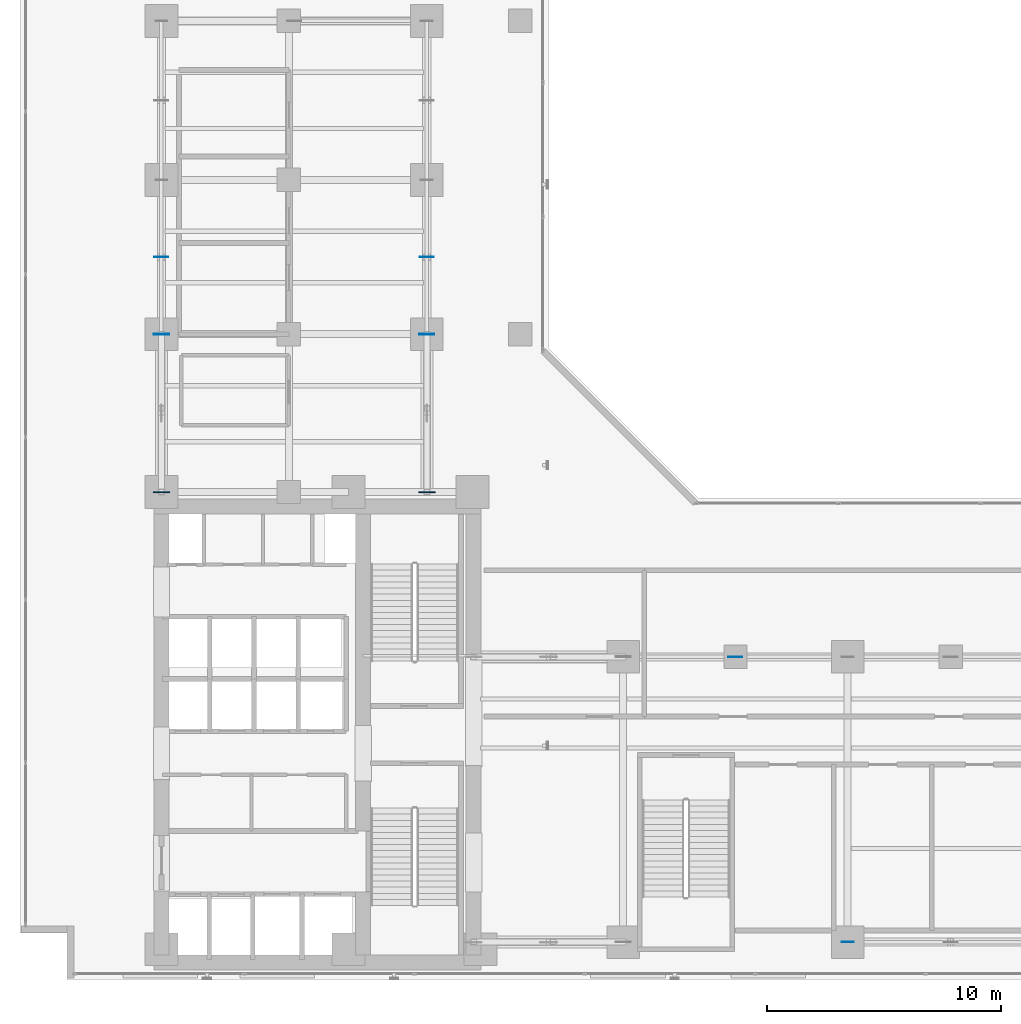
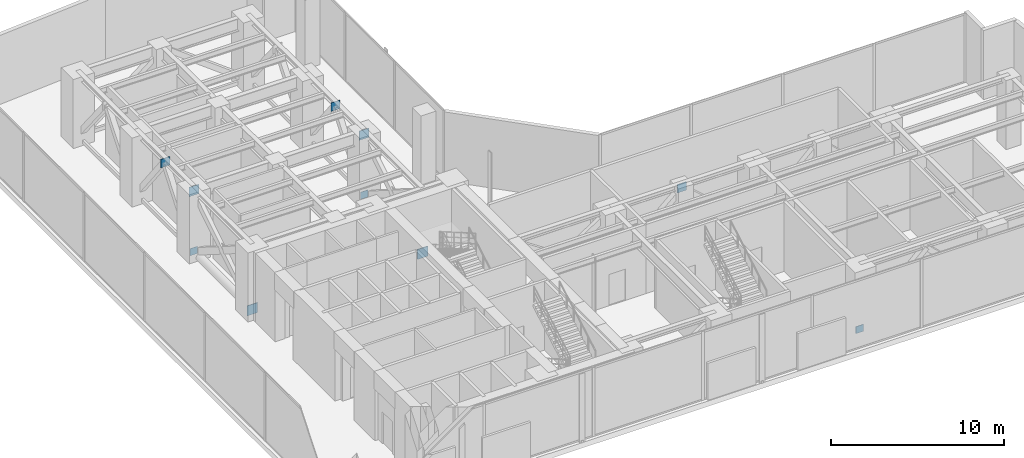
# One storey, part 29 of 37: 10 plates.
"""IFC4 building model written with IfcOpenShell, lengths in metres."""

from ifc_helpers import new_model, si_unit, direction, frame, origin, origin_with_axes, origin_2d, place, context, subcontext, project, spatial, rectangle, extrude, source, transform, mapped, material, layer, layer_set, type_object, element, save


model = new_model("IFC4")

# Units and contexts
model_context = context("Model", 3, precision=1e-05, world=origin(), true_north=direction((0.0, 1.0)))
body_context = subcontext(model_context, "Body", "Model", "MODEL_VIEW")
ifc_project = project(units=[si_unit("LENGTHUNIT", "METRE"), si_unit("AREAUNIT", "SQUARE_METRE"), si_unit("VOLUMEUNIT", "CUBIC_METRE"), si_unit("PLANEANGLEUNIT", "RADIAN"), si_unit("MASSUNIT", "GRAM", prefix="KILO")], contexts=[model_context])

# Site, building, storey
site_placement = place(None, origin())
site = spatial("IfcSite", under=ifc_project, at=site_placement, CompositionType="ELEMENT")
building_placement = place(site_placement, origin())
building = spatial("IfcBuilding", under=site, at=building_placement, Name="Kolvaren Waterfront Exchange", CompositionType="ELEMENT")
storey_placement = place(building_placement, frame((0.0, 0.0, 141.10009765625)))
storey = spatial("IfcBuildingStorey", under=building, at=storey_placement, Name="L36", CompositionType="ELEMENT", Elevation=141.10009765625)

# Plates
ifc_material_1 = material(Name="Steel S460", Category="steel")
ifc_layer_1 = layer(ifc_material_1, 0.044921875, Name="Steel S460")
ifc_layer_set_1 = layer_set([ifc_layer_1], Name="Steel S460")
plate_type_1 = type_object("IfcPlateType", Name="STR-PL-ON1", PredefinedType="USERDEFINED", material=ifc_layer_set_1)
shared_shape_1 = source(origin_with_axes(), body_context, "Body", "SweptSolid", [
    extrude(rectangle(XDim=0.699951171875, YDim=0.044921875, at=origin_2d()), origin(), (0.0, 0.0, 1.0), 0.699951171875),
])
for number, where, z_axis, x_axis, name in (
    (1, (7.449951171875, 24.449951171875, -0.10009765625), (0.0, 0.0, 1.0), (1.0, 0.0, 0.0), "L36 outrigger core gusset plate OA3"),
    (2, (18.800048828125, 24.449951171875, -0.10009765625), (0.0, 0.0, 1.0), (1.0, 0.0, 0.0), "L36 outrigger core gusset plate OA4"),
):
    element("IfcPlate", number, at=place(storey_placement, frame(where, z_axis=z_axis, x_axis=x_axis)), inside=storey, type_object=plate_type_1, Name=name, ObjectType="GUSSET PLATE", PredefinedType="USERDEFINED", context=body_context, shape_type="MappedRepresentation", body=[
        mapped(shared_shape_1, transform((0.0, 0.0, 0.0), x_axis=(1.0, 0.0, 0.0), y_axis=(0.0, 1.0, 0.0), z_axis=(0.0, 0.0, 1.0), scale=1.0)),
    ])
ifc_layer_2 = layer(ifc_material_1, 0.031982421875, Name="Steel S460")
ifc_layer_set_2 = layer_set([ifc_layer_2], Name="Steel S460")
plate_type_2 = type_object("IfcPlateType", Name="STR-PL-ON2", PredefinedType="USERDEFINED", material=ifc_layer_set_2)
shared_shape_2 = source(origin_with_axes(), body_context, "Body", "SweptSolid", [
    extrude(rectangle(XDim=0.64990234375, YDim=0.031982421875, at=origin_2d()), origin(), (0.0, 0.0, 1.0), 0.64990234375),
])
for number, where, z_axis, x_axis, name in (
    (3, (7.449951171875, 31.199951171875, 4.18505859375), (0.0, 0.0, 1.0), (1.0, 0.0, 0.0), "L36 outrigger perimeter cap plate OA3"),
    (4, (18.800048828125, 31.199951171875, 4.18505859375), (0.0, 0.0, 1.0), (1.0, 0.0, 0.0), "L36 outrigger perimeter cap plate OA4"),
):
    element("IfcPlate", number, at=place(storey_placement, frame(where, z_axis=z_axis, x_axis=x_axis)), inside=storey, type_object=plate_type_2, Name=name, ObjectType="GUSSET PLATE", PredefinedType="USERDEFINED", context=body_context, shape_type="MappedRepresentation", body=[
        mapped(shared_shape_2, transform((0.0, 0.0, 0.0), x_axis=(1.0, 0.0, 0.0), y_axis=(0.0, 1.0, 0.0), z_axis=(0.0, 0.0, 1.0), scale=1.0)),
    ])
ifc_layer_3 = layer(ifc_material_1, 0.030029296875, Name="Steel S460")
ifc_layer_set_3 = layer_set([ifc_layer_3], Name="Steel S460")
plate_type_3 = type_object("IfcPlateType", Name="STR-PL-BN1", PredefinedType="SHEET", material=ifc_layer_set_3)
shared_shape_3 = source(origin_with_axes(), body_context, "Body", "SweptSolid", [
    extrude(rectangle(XDim=0.60009765625, YDim=0.030029296875, at=origin_2d()), origin(), (0.0, 0.0, 1.0), 0.60009765625),
])
for number, where, z_axis, x_axis, name in (
    (5, (32.0, 17.39990234375, 4.2099609375), (0.0, 0.0, 1.0), (1.0, 0.0, 0.0), "L36 belt-truss chevron apex gusset BT1"),
    (6, (7.449951171875, 34.5, 4.2099609375), (0.0, 0.0, 1.0), (1.0, 0.0, 0.0), "L36 belt-truss chevron apex gusset BT4"),
    (7, (18.800048828125, 34.5, 4.2099609375), (0.0, 0.0, 1.0), (1.0, 0.0, 0.0), "L36 belt-truss chevron apex gusset BT6"),
):
    element("IfcPlate", number, at=place(storey_placement, frame(where, z_axis=z_axis, x_axis=x_axis)), inside=storey, type_object=plate_type_3, Name=name, PredefinedType="SHEET", context=body_context, shape_type="MappedRepresentation", body=[
        mapped(shared_shape_3, transform((0.0, 0.0, 0.0), x_axis=(1.0, 0.0, 0.0), y_axis=(0.0, 1.0, 0.0), z_axis=(0.0, 0.0, 1.0), scale=1.0)),
    ])
ifc_material_2 = material(Name="Steel S355", Category="steel")
ifc_layer_4 = layer(ifc_material_2, 0.02490234375, Name="Steel S355")
ifc_layer_set_4 = layer_set([ifc_layer_4], Name="Steel S355")
plate_type_4 = type_object("IfcPlateType", Name="STR-PL-BN2", PredefinedType="SHEET", material=ifc_layer_set_4)
shared_shape_4 = source(origin_with_axes(), body_context, "Body", "SweptSolid", [
    extrude(rectangle(XDim=0.5, YDim=0.02490234375, at=origin_2d()), origin(), (0.0, 0.0, 1.0), 0.5),
])
for number, where, z_axis, x_axis, name in (
    (8, (36.800048828125, 5.199951171875, 0.0), (0.0, 0.0, 1.0), (1.0, 0.0, 0.0), "L36 belt-truss end cap plate BT3.1"),
    (9, (7.449951171875, 31.199951171875, 0.0), (0.0, 0.0, 1.0), (1.0, 0.0, 0.0), "L36 belt-truss end cap plate BT4.1"),
    (10, (18.800048828125, 31.199951171875, 0.0), (0.0, 0.0, 1.0), (1.0, 0.0, 0.0), "L36 belt-truss end cap plate BT6.1"),
):
    element("IfcPlate", number, at=place(storey_placement, frame(where, z_axis=z_axis, x_axis=x_axis)), inside=storey, type_object=plate_type_4, Name=name, PredefinedType="SHEET", context=body_context, shape_type="MappedRepresentation", body=[
        mapped(shared_shape_4, transform((0.0, 0.0, 0.0), x_axis=(1.0, 0.0, 0.0), y_axis=(0.0, 1.0, 0.0), z_axis=(0.0, 0.0, 1.0), scale=1.0)),
    ])

save(model, "model.ifc")
